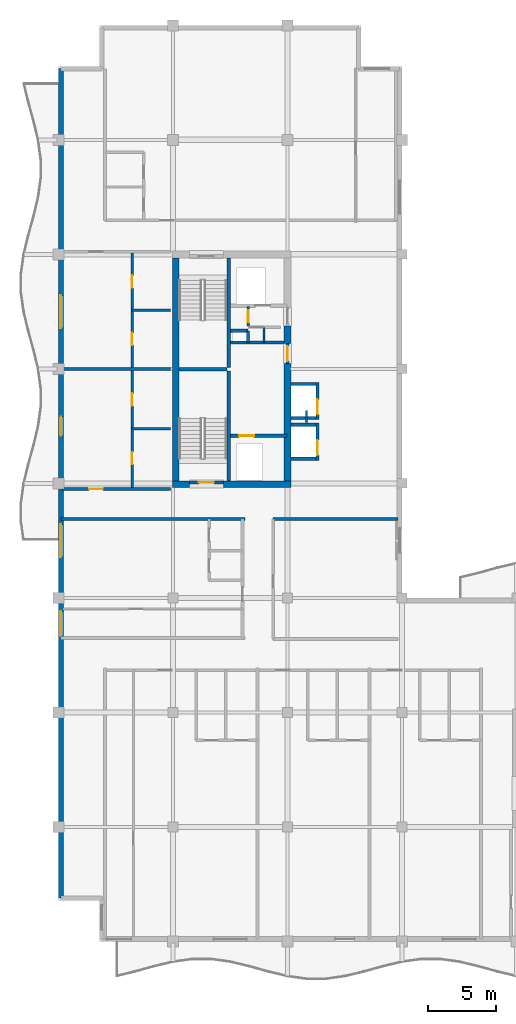
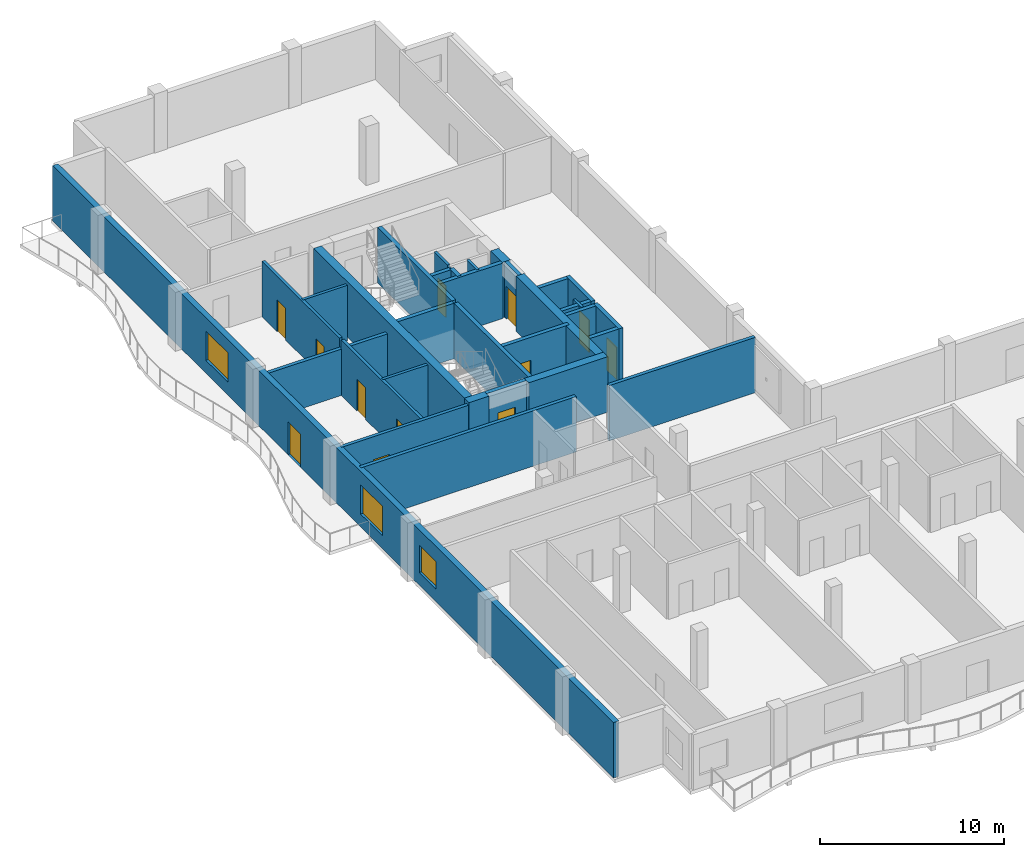
# One storey, part 6 of 11: 32 walls, 12 doors, 3 windows, 15 openings.
"""IFC4 building model written with IfcOpenShell, lengths in metres."""

from ifc_helpers import new_model, si_unit, direction, frame, frame_2d, origin, place, context, subcontext, project, spatial, rectangle, extrude, material, layer, layer_set, type_object, element, fill, save


model = new_model("IFC4")

# Units and contexts
model_context = context("Model", 3, precision=1e-05, world=origin(), true_north=direction((0.0, 1.0)))
body_context = subcontext(model_context, "Body", "Model", "MODEL_VIEW")
ifc_project = project(units=[si_unit("LENGTHUNIT", "METRE"), si_unit("AREAUNIT", "SQUARE_METRE"), si_unit("VOLUMEUNIT", "CUBIC_METRE"), si_unit("PLANEANGLEUNIT", "RADIAN"), si_unit("MASSUNIT", "GRAM", prefix="KILO")], contexts=[model_context])

# Site, building, storey
site_placement = place(None, origin())
site = spatial("IfcSite", under=ifc_project, at=site_placement, CompositionType="ELEMENT")
building_placement = place(site_placement, origin())
building = spatial("IfcBuilding", under=site, at=building_placement, Name="Koriwani Terraces Tower", CompositionType="ELEMENT")
storey_placement = place(building_placement, frame((0.0, 0.0, 312.5)))
storey = spatial("IfcBuildingStorey", under=building, at=storey_placement, Name="L77", CompositionType="ELEMENT", Elevation=312.5)

# Walls
ifc_material_1 = material(Name="Concrete C50/60", Category="concrete")
ifc_layer_1 = layer(ifc_material_1, 0.5, Name="Concrete C50/60")
ifc_layer_set_1 = layer_set([ifc_layer_1], Name="Concrete C50/60")
wall_type_1 = type_object("IfcWallType", Name="WALL_CORE_RC_500", PredefinedType="SHEAR", material=ifc_layer_set_1)
wall_1_placement = place(storey_placement, frame((16.75, 41.949951171875, 0.0), z_axis=(0.0, 0.0, 1.0), x_axis=(1.0, 0.0, 0.0)))
element("IfcWall", 1, at=wall_1_placement, inside=storey, type_object=wall_type_1, Name="L77 West Split Core Shear Wall S1", PredefinedType="SHEAR", context=body_context, shape_type="SweptSolid", body=[
    extrude(rectangle(XDim=1.25, YDim=0.5, at=frame_2d((0.625, 0.0))), origin(), (0.0, 0.0, 1.0), 3.669921875),
])
wall_2_placement = place(storey_placement, frame((20.5, 41.949951171875, 0.0), z_axis=(0.0, 0.0, 1.0), x_axis=(1.0, 0.0, 0.0)))
element("IfcWall", 2, at=wall_2_placement, inside=storey, type_object=wall_type_1, Name="L77 West Split Core Shear Wall S2", PredefinedType="SHEAR", context=body_context, shape_type="SweptSolid", body=[
    extrude(rectangle(XDim=4.949951171875, YDim=0.5, at=frame_2d((2.47509765625, 0.0))), origin(), (0.0, 0.0, 1.0), 3.669921875),
])
wall_3_placement = place(storey_placement, frame((17.0, 42.199951171875, 0.0), z_axis=(0.0, 0.0, 1.0), x_axis=(0.0, 1.0, 0.0)))
element("IfcWall", 3, at=wall_3_placement, inside=storey, type_object=wall_type_1, Name="L77 West Split Core Shear Wall W1", PredefinedType="SHEAR", context=body_context, shape_type="SweptSolid", body=[
    extrude(rectangle(XDim=16.35009765625, YDim=0.5, at=frame_2d((8.175048828125, 0.0))), origin(), (0.0, 0.0, 1.0), 3.669921875),
])
wall_4_placement = place(storey_placement, frame((25.199951171875, 42.199951171875, 0.0), z_axis=(0.0, 0.0, 1.0), x_axis=(0.0, 1.0, 0.0)))
element("IfcWall", 4, at=wall_4_placement, inside=storey, type_object=wall_type_1, Name="L77 West Split Core Shear Wall E1", PredefinedType="SHEAR", context=body_context, shape_type="SweptSolid", body=[
    extrude(rectangle(XDim=8.60009765625, YDim=0.5, at=frame_2d((4.300048828125, 0.0))), origin(), (0.0, 0.0, 1.0), 3.669921875),
])
wall_5_placement = place(storey_placement, frame((25.199951171875, 52.280029296875, 0.0), z_axis=(0.0, 0.0, 1.0), x_axis=(0.0, 1.0, 0.0)))
element("IfcWall", 5, at=wall_5_placement, inside=storey, type_object=wall_type_1, Name="L77 West Split Core Shear Wall E2", PredefinedType="SHEAR", context=body_context, shape_type="SweptSolid", body=[
    extrude(rectangle(XDim=1.27001953125, YDim=0.5, at=frame_2d((0.635009765625, 0.0))), origin(), (0.0, 0.0, 1.0), 3.669921875),
])

# Wall, opening, door
ifc_material_2 = material(Name="Autoclaved Cellular Concrete Blockwork", Category="masonry")
ifc_layer_2 = layer(ifc_material_2, 0.199951171875, Name="Autoclaved Cellular Concrete Blockwork")
ifc_layer_set_2 = layer_set([ifc_layer_2], Name="Autoclaved Cellular Concrete Blockwork")
wall_type_2 = type_object("IfcWallType", Name="WALL_CORRIDOR_200", PredefinedType="PARTITIONING", material=ifc_layer_set_2)
wall_6_placement = place(storey_placement, frame((8.64990234375, 41.60009765625, 0.0), z_axis=(0.0, 0.0, 1.0), x_axis=(1.0, 0.0, 0.0)))
wall_6 = element("IfcWall", 6, at=wall_6_placement, inside=storey, type_object=wall_type_2, Name="L77 Interior Wall WRZ4-WS-L77", PredefinedType="PARTITIONING", context=body_context, shape_type="SweptSolid", body=[
    extrude(rectangle(XDim=7.9501953125, YDim=0.199951171875, at=frame_2d((3.97509765625, 0.0))), origin(), (0.0, 0.0, 1.0), 3.669921875),
])
opening_1_placement = place(wall_6_placement, frame((2.0, 0.0, 0.0)))
opening_1 = element("IfcOpeningElement", 7, at=opening_1_placement, cuts=wall_6, Name="Opening D-05", PredefinedType="OPENING", context=body_context, shape_type="SweptSolid", body=[
    extrude(rectangle(XDim=1.0, YDim=2.14990234375, at=frame_2d((0.5, 1.074951171875))), frame((0.0, 0.10986328125, 0.0), z_axis=(0.0, -1.0, 0.0), x_axis=(1.0, 0.0, 0.0)), (0.0, 0.0, 1.0), 0.219970703125),
])
ifc_material_3 = material(Name="Architectural Oak Fire Door", Category="wood")
door_type_1 = type_object("IfcDoorType", Name="DOOR_SUITE_ENTRY_1000X2150", OperationType="NOTDEFINED", PredefinedType="DOOR", material=ifc_material_3)
door_1_placement = place(opening_1_placement, origin())
door_1 = element("IfcDoor", 8, at=door_1_placement, inside=storey, type_object=door_type_1, Name="Apartment 77RW1 Entrance Door", OperationType="SINGLE_SWING_RIGHT", OverallHeight=2.14990234375, OverallWidth=1.0, PredefinedType="DOOR", context=body_context, shape_type="SweptSolid", body=[
    extrude(rectangle(XDim=1.0, YDim=2.14990234375, at=frame_2d((0.5, 1.074951171875))), frame((0.0, 0.02490234375, 0.0), z_axis=(0.0, -1.0, 0.0), x_axis=(1.0, 0.0, 0.0)), (0.0, 0.0, 1.0), 0.050048828125),
])
fill(opening_1, door_1)

# Walls
ifc_layer_3 = layer(ifc_material_2, 0.219970703125, Name="Autoclaved Cellular Concrete Blockwork")
ifc_layer_set_3 = layer_set([ifc_layer_3], Name="Autoclaved Cellular Concrete Blockwork")
wall_type_3 = type_object("IfcWallType", Name="WALL_DEMISING_220", PredefinedType="PARTITIONING", material=ifc_layer_set_3)
wall_7_placement = place(storey_placement, frame((24.14990234375, 39.39990234375, 0.0), z_axis=(0.0, 0.0, 1.0), x_axis=(1.0, 0.0, 0.0)))
element("IfcWall", 9, at=wall_7_placement, inside=storey, type_object=wall_type_3, Name="L77 Interior Wall WIC4WN-L77", PredefinedType="PARTITIONING", context=body_context, shape_type="SweptSolid", body=[
    extrude(rectangle(XDim=9.150146484375, YDim=0.219970703125, at=frame_2d((4.5751953125, 0.0))), origin(), (0.0, 0.0, 1.0), 3.669921875),
])
wall_8_placement = place(storey_placement, frame((8.64990234375, 50.39990234375, 0.0), z_axis=(0.0, 0.0, 1.0), x_axis=(1.0, 0.0, 0.0)))
element("IfcWall", 10, at=wall_8_placement, inside=storey, type_object=wall_type_3, Name="L77 Interior Wall WRZ4-WM-L77", PredefinedType="PARTITIONING", context=body_context, shape_type="SweptSolid", body=[
    extrude(rectangle(XDim=7.9501953125, YDim=0.219970703125, at=frame_2d((3.97509765625, 0.0))), origin(), (0.0, 0.0, 1.0), 3.070068359375),
])
wall_9_placement = place(storey_placement, frame((8.60009765625, 39.39990234375, 0.0), z_axis=(0.0, 0.0, 1.0), x_axis=(1.0, 0.0, 0.0)))
element("IfcWall", 11, at=wall_9_placement, inside=storey, type_object=wall_type_3, Name="L77 Interior Wall WRDEME-L77-NE", PredefinedType="PARTITIONING", context=body_context, shape_type="SweptSolid", body=[
    extrude(rectangle(XDim=13.47998046875, YDim=0.219970703125, at=frame_2d((6.739990234375, 0.0))), origin(), (0.0, 0.0, 1.0), 3.669921875),
])

# Wall, openings, door, windows
ifc_layer_4 = layer(ifc_material_1, 0.35009765625, Name="Concrete C50/60")
ifc_layer_set_4 = layer_set([ifc_layer_4], Name="Concrete C50/60")
wall_type_4 = type_object("IfcWallType", Name="WALL_EXT_BRUTALIST_350", PredefinedType="STANDARD", material=ifc_layer_set_4)
wall_10_placement = place(storey_placement, frame((8.574951171875, 11.574951171875, 0.0), z_axis=(0.0, 0.0, 1.0), x_axis=(0.0, 1.0, 0.0)))
wall_10 = element("IfcWall", 12, at=wall_10_placement, inside=storey, type_object=wall_type_4, Name="L77 Fair-Faced Brutalist Exterior Wall (W)", PredefinedType="STANDARD", context=body_context, shape_type="SweptSolid", body=[
    extrude(rectangle(XDim=60.85009765625, YDim=0.35009765625, at=frame_2d((30.425048828125, 0.0))), origin(), (0.0, 0.0, 1.0), 3.669921875),
])
opening_2_placement = place(wall_10_placement, frame((33.925048828125, 0.0, 0.0)))
opening_2 = element("IfcOpeningElement", 13, at=opening_2_placement, cuts=wall_10, Name="Opening D-09", PredefinedType="OPENING", context=body_context, shape_type="SweptSolid", body=[
    extrude(rectangle(XDim=1.39990234375, YDim=2.199951171875, at=frame_2d((0.699951171875, 1.10009765625))), frame((0.0, 0.18505859375, 0.0), z_axis=(0.0, -1.0, 0.0), x_axis=(1.0, 0.0, 0.0)), (0.0, 0.0, 1.0), 0.3701171875),
])
opening_3_placement = place(wall_10_placement, frame((25.02490234375, 0.0, 0.85009765625)))
opening_3 = element("IfcOpeningElement", 14, at=opening_3_placement, cuts=wall_10, Name="Opening W-03", PredefinedType="OPENING", context=body_context, shape_type="SweptSolid", body=[
    extrude(rectangle(XDim=2.39990234375, YDim=1.949951171875, at=frame_2d((1.199951171875, 0.97509765625))), frame((0.0, 0.18505859375, 0.0), z_axis=(0.0, -1.0, 0.0), x_axis=(1.0, 0.0, 0.0)), (0.0, 0.0, 1.0), 0.3701171875),
])
opening_4_placement = place(wall_10_placement, frame((41.824951171875, 0.0, 0.85009765625)))
opening_4 = element("IfcOpeningElement", 15, at=opening_4_placement, cuts=wall_10, Name="Opening W-03", PredefinedType="OPENING", context=body_context, shape_type="SweptSolid", body=[
    extrude(rectangle(XDim=2.39990234375, YDim=1.949951171875, at=frame_2d((1.199951171875, 0.97509765625))), frame((0.0, 0.18505859375, 0.0), z_axis=(0.0, -1.0, 0.0), x_axis=(1.0, 0.0, 0.0)), (0.0, 0.0, 1.0), 0.3701171875),
])
opening_5_placement = place(wall_10_placement, frame((19.25, 0.0, 0.85009765625)))
opening_5 = element("IfcOpeningElement", 16, at=opening_5_placement, cuts=wall_10, Name="Opening W-04", PredefinedType="OPENING", context=body_context, shape_type="SweptSolid", body=[
    extrude(rectangle(XDim=1.800048828125, YDim=1.800048828125, at=frame_2d((0.89990234375, 0.89990234375))), frame((0.0, 0.18505859375, 0.0), z_axis=(0.0, -1.0, 0.0), x_axis=(1.0, 0.0, 0.0)), (0.0, 0.0, 1.0), 0.3701171875),
])
ifc_material_4 = material(Name="Anodised Bronze Aluminium", Category="aluminium")
door_type_2 = type_object("IfcDoorType", Name="DOOR_BALCONY_GLAZED_1400X2200", OperationType="NOTDEFINED", PredefinedType="DOOR", material=ifc_material_4)
door_2_placement = place(opening_2_placement, origin())
door_2 = element("IfcDoor", 17, at=door_2_placement, inside=storey, type_object=door_type_2, Name="L77 West Balcony Glazed Door", OperationType="SINGLE_SWING_LEFT", OverallHeight=2.199951171875, OverallWidth=1.39990234375, PredefinedType="DOOR", context=body_context, shape_type="SweptSolid", body=[
    extrude(rectangle(XDim=1.39990234375, YDim=2.199951171875, at=frame_2d((0.699951171875, 1.10009765625))), frame((0.0, 0.02490234375, 0.0), z_axis=(0.0, -1.0, 0.0), x_axis=(1.0, 0.0, 0.0)), (0.0, 0.0, 1.0), 0.050048828125),
])
fill(opening_2, door_2)
ifc_material_5 = material(Name="Tempered Laminated Low-E Glass", Category="glass")
window_type_1 = type_object("IfcWindowType", Name="WIN_RES_BED_1800X1800", PartitioningType="DOUBLE_PANEL_VERTICAL", PredefinedType="WINDOW", material=ifc_material_5)
window_1_placement = place(opening_5_placement, origin())
window_1 = element("IfcWindow", 18, at=window_1_placement, inside=storey, type_object=window_type_1, Name="L77 Exterior Window (W-R43)", OverallHeight=1.800048828125, OverallWidth=1.800048828125, PartitioningType="SINGLE_PANEL", PredefinedType="WINDOW", context=body_context, shape_type="SweptSolid", body=[
    extrude(rectangle(XDim=1.800048828125, YDim=1.800048828125, at=frame_2d((0.89990234375, 0.89990234375))), frame((0.0, 0.030029296875, 0.0), z_axis=(0.0, -1.0, 0.0), x_axis=(1.0, 0.0, 0.0)), (0.0, 0.0, 1.0), 0.06005859375),
])
fill(opening_5, window_1)
window_type_2 = type_object("IfcWindowType", Name="WIN_RES_LIVING_2400X1950", PartitioningType="DOUBLE_PANEL_VERTICAL", PredefinedType="WINDOW", material=ifc_material_5)
window_2_placement = place(opening_3_placement, origin())
window_2 = element("IfcWindow", 19, at=window_2_placement, inside=storey, type_object=window_type_2, Name="L77 Exterior Window (W-9)", OverallHeight=1.949951171875, OverallWidth=2.39990234375, PartitioningType="SINGLE_PANEL", PredefinedType="WINDOW", context=body_context, shape_type="SweptSolid", body=[
    extrude(rectangle(XDim=2.39990234375, YDim=1.949951171875, at=frame_2d((1.199951171875, 0.97509765625))), frame((0.0, 0.030029296875, 0.0), z_axis=(0.0, -1.0, 0.0), x_axis=(1.0, 0.0, 0.0)), (0.0, 0.0, 1.0), 0.06005859375),
])
fill(opening_3, window_2)
window_3_placement = place(opening_4_placement, origin())
window_3 = element("IfcWindow", 20, at=window_3_placement, inside=storey, type_object=window_type_2, Name="L77 Exterior Window (W-15)", OverallHeight=1.949951171875, OverallWidth=2.39990234375, PartitioningType="SINGLE_PANEL", PredefinedType="WINDOW", context=body_context, shape_type="SweptSolid", body=[
    extrude(rectangle(XDim=2.39990234375, YDim=1.949951171875, at=frame_2d((1.199951171875, 0.97509765625))), frame((0.0, 0.030029296875, 0.0), z_axis=(0.0, -1.0, 0.0), x_axis=(1.0, 0.0, 0.0)), (0.0, 0.0, 1.0), 0.06005859375),
])
fill(opening_4, window_3)

# Wall, openings, doors
ifc_material_6 = material(Name="Fire-Rated Acoustic Gypsum Partition", Category="masonry")
ifc_layer_5 = layer(ifc_material_6, 0.179931640625, Name="Fire-Rated Acoustic Gypsum Partition")
ifc_layer_set_5 = layer_set([ifc_layer_5], Name="Fire-Rated Acoustic Gypsum Partition")
wall_type_5 = type_object("IfcWallType", Name="WALL_PLUMBING_180", PredefinedType="PLUMBINGWALL", material=ifc_layer_set_5)
wall_11_placement = place(storey_placement, frame((13.800048828125, 41.699951171875, 0.0), z_axis=(0.0, 0.0, 1.0), x_axis=(0.0, 1.0, 0.0)))
wall_11 = element("IfcWall", 21, at=wall_11_placement, inside=storey, type_object=wall_type_5, Name="L77 Interior Wall WRZ4-RW1-PB-L77", PredefinedType="PLUMBINGWALL", context=body_context, shape_type="SweptSolid", body=[
    extrude(rectangle(XDim=8.60009765625, YDim=0.179931640625, at=frame_2d((4.300048828125, 0.0))), origin(), (0.0, 0.0, 1.0), 3.669921875),
])
opening_6_placement = place(wall_11_placement, frame((1.699951171875, 0.0, 0.0)))
opening_6 = element("IfcOpeningElement", 22, at=opening_6_placement, cuts=wall_11, Name="Opening D-07", PredefinedType="OPENING", context=body_context, shape_type="SweptSolid", body=[
    extrude(rectangle(XDim=0.89990234375, YDim=2.10009765625, at=frame_2d((0.449951171875, 1.050048828125))), frame((0.0, 0.10009765625, 0.0), z_axis=(0.0, -1.0, 0.0), x_axis=(1.0, 0.0, 0.0)), (0.0, 0.0, 1.0), 0.199951171875),
])
opening_7_placement = place(wall_11_placement, frame((5.989990234375, 0.0, 0.0)))
opening_7 = element("IfcOpeningElement", 23, at=opening_7_placement, cuts=wall_11, Name="Opening D-06", PredefinedType="OPENING", context=body_context, shape_type="SweptSolid", body=[
    extrude(rectangle(XDim=0.919921875, YDim=2.10009765625, at=frame_2d((0.4599609375, 1.050048828125))), frame((0.0, 0.10009765625, 0.0), z_axis=(0.0, -1.0, 0.0), x_axis=(1.0, 0.0, 0.0)), (0.0, 0.0, 1.0), 0.199951171875),
])
door_type_3 = type_object("IfcDoorType", Name="DOOR_BATH_INT_900X2100", OperationType="NOTDEFINED", PredefinedType="DOOR", material=ifc_material_3)
door_3_placement = place(opening_6_placement, origin())
door_3 = element("IfcDoor", 24, at=door_3_placement, inside=storey, type_object=door_type_3, Name="Apartment 77RW1 Bathroom Door", OperationType="SINGLE_SWING_RIGHT", OverallHeight=2.10009765625, OverallWidth=0.89990234375, PredefinedType="DOOR", context=body_context, shape_type="SweptSolid", body=[
    extrude(rectangle(XDim=0.89990234375, YDim=2.10009765625, at=frame_2d((0.449951171875, 1.050048828125))), frame((0.0, 0.02490234375, 0.0), z_axis=(0.0, -1.0, 0.0), x_axis=(1.0, 0.0, 0.0)), (0.0, 0.0, 1.0), 0.050048828125),
])
fill(opening_6, door_3)
door_type_4 = type_object("IfcDoorType", Name="DOOR_ROOM_INT_920X2100", OperationType="NOTDEFINED", PredefinedType="DOOR", material=ifc_material_3)
door_4_placement = place(opening_7_placement, origin())
door_4 = element("IfcDoor", 25, at=door_4_placement, inside=storey, type_object=door_type_4, Name="Apartment 77RW1 Kitchen Door", OperationType="SINGLE_SWING_LEFT", OverallHeight=2.10009765625, OverallWidth=0.919921875, PredefinedType="DOOR", context=body_context, shape_type="SweptSolid", body=[
    extrude(rectangle(XDim=0.919921875, YDim=2.10009765625, at=frame_2d((0.4599609375, 1.050048828125))), frame((0.0, 0.02490234375, 0.0), z_axis=(0.0, -1.0, 0.0), x_axis=(1.0, 0.0, 0.0)), (0.0, 0.0, 1.0), 0.050048828125),
])
fill(opening_7, door_4)

# Wall
wall_12_placement = place(storey_placement, frame((13.800048828125, 46.0, 0.0), z_axis=(0.0, 0.0, 1.0), x_axis=(1.0, 0.0, 0.0)))
element("IfcWall", 26, at=wall_12_placement, inside=storey, type_object=wall_type_5, Name="L77 Interior Wall WRZ4-RW1-P2-L77", PredefinedType="PLUMBINGWALL", context=body_context, shape_type="SweptSolid", body=[
    extrude(rectangle(XDim=2.800048828125, YDim=0.179931640625, at=frame_2d((1.39990234375, 0.0))), origin(), (0.0, 0.0, 1.0), 3.669921875),
])

# Wall, openings, doors
wall_13_placement = place(storey_placement, frame((13.800048828125, 50.5, 0.0), z_axis=(0.0, 0.0, 1.0), x_axis=(0.0, 1.0, 0.0)))
wall_13 = element("IfcWall", 27, at=wall_13_placement, inside=storey, type_object=wall_type_5, Name="L77 Interior Wall WRZ4-RW2-PB-L77", PredefinedType="PLUMBINGWALL", context=body_context, shape_type="SweptSolid", body=[
    extrude(rectangle(XDim=8.39990234375, YDim=0.179931640625, at=frame_2d((4.199951171875, 0.0))), origin(), (0.0, 0.0, 1.0), 3.669921875),
])
opening_8_placement = place(wall_13_placement, frame((1.64990234375, 0.0, 0.0)))
opening_8 = element("IfcOpeningElement", 28, at=opening_8_placement, cuts=wall_13, Name="Opening D-07", PredefinedType="OPENING", context=body_context, shape_type="SweptSolid", body=[
    extrude(rectangle(XDim=0.89990234375, YDim=2.10009765625, at=frame_2d((0.449951171875, 1.050048828125))), frame((0.0, 0.10009765625, 0.0), z_axis=(0.0, -1.0, 0.0), x_axis=(1.0, 0.0, 0.0)), (0.0, 0.0, 1.0), 0.199951171875),
])
opening_9_placement = place(wall_13_placement, frame((5.840087890625, 0.0, 0.0)))
opening_9 = element("IfcOpeningElement", 29, at=opening_9_placement, cuts=wall_13, Name="Opening D-06", PredefinedType="OPENING", context=body_context, shape_type="SweptSolid", body=[
    extrude(rectangle(XDim=0.919921875, YDim=2.10009765625, at=frame_2d((0.4599609375, 1.050048828125))), frame((0.0, 0.10009765625, 0.0), z_axis=(0.0, -1.0, 0.0), x_axis=(1.0, 0.0, 0.0)), (0.0, 0.0, 1.0), 0.199951171875),
])
door_5_placement = place(opening_8_placement, origin())
door_5 = element("IfcDoor", 30, at=door_5_placement, inside=storey, type_object=door_type_3, Name="Apartment 77RW2 Bathroom Door", OperationType="SINGLE_SWING_RIGHT", OverallHeight=2.10009765625, OverallWidth=0.89990234375, PredefinedType="DOOR", context=body_context, shape_type="SweptSolid", body=[
    extrude(rectangle(XDim=0.89990234375, YDim=2.10009765625, at=frame_2d((0.449951171875, 1.050048828125))), frame((0.0, 0.02490234375, 0.0), z_axis=(0.0, -1.0, 0.0), x_axis=(1.0, 0.0, 0.0)), (0.0, 0.0, 1.0), 0.050048828125),
])
fill(opening_8, door_5)
door_6_placement = place(opening_9_placement, origin())
door_6 = element("IfcDoor", 31, at=door_6_placement, inside=storey, type_object=door_type_4, Name="Apartment 77RW2 Kitchen Door", OperationType="SINGLE_SWING_LEFT", OverallHeight=2.10009765625, OverallWidth=0.919921875, PredefinedType="DOOR", context=body_context, shape_type="SweptSolid", body=[
    extrude(rectangle(XDim=0.919921875, YDim=2.10009765625, at=frame_2d((0.4599609375, 1.050048828125))), frame((0.0, 0.02490234375, 0.0), z_axis=(0.0, -1.0, 0.0), x_axis=(1.0, 0.0, 0.0)), (0.0, 0.0, 1.0), 0.050048828125),
])
fill(opening_9, door_6)

# Walls
wall_14_placement = place(storey_placement, frame((13.800048828125, 54.699951171875, 0.0), z_axis=(0.0, 0.0, 1.0), x_axis=(1.0, 0.0, 0.0)))
element("IfcWall", 32, at=wall_14_placement, inside=storey, type_object=wall_type_5, Name="L77 Interior Wall WRZ4-RW2-P2-L77", PredefinedType="PLUMBINGWALL", context=body_context, shape_type="SweptSolid", body=[
    extrude(rectangle(XDim=2.800048828125, YDim=0.179931640625, at=frame_2d((1.39990234375, 0.0))), origin(), (0.0, 0.0, 1.0), 3.669921875),
])
ifc_material_7 = material(Name="Concrete C40/50", Category="concrete")
ifc_layer_6 = layer(ifc_material_7, 0.25, Name="Concrete C40/50")
ifc_layer_set_6 = layer_set([ifc_layer_6], Name="Concrete C40/50")
wall_type_6 = type_object("IfcWallType", Name="WALL_SHAFT_RATED_250", PredefinedType="SOLIDWALL", material=ifc_layer_set_6)
for number, where, z_axis, x_axis, name in (
    (33, (20.875, 42.199951171875, 0.0), (0.0, 0.0, 1.0), (0.0, 1.0, 0.0), "L77 West Split Core Web Wall MID1"),
    (34, (20.875, 50.5, 0.0), (0.0, 0.0, 1.0), (0.0, 1.0, 0.0), "L77 West Split Core Web Wall MID2"),
):
    element("IfcWall", number, at=place(storey_placement, frame(where, z_axis=z_axis, x_axis=x_axis)), inside=storey, type_object=wall_type_6, Name=name, PredefinedType="SOLIDWALL", context=body_context, shape_type="SweptSolid", body=[
        extrude(rectangle(XDim=8.050048828125, YDim=0.25, at=frame_2d((4.02490234375, 0.0))), origin(), (0.0, 0.0, 1.0), 3.669921875),
    ])
wall_15_placement = place(storey_placement, frame((17.25, 50.375, 0.0), z_axis=(0.0, 0.0, 1.0), x_axis=(1.0, 0.0, 0.0)))
element("IfcWall", 35, at=wall_15_placement, inside=storey, type_object=wall_type_6, Name="L77 West Split Core Stair Dividing Wall", PredefinedType="SOLIDWALL", context=body_context, shape_type="SweptSolid", body=[
    extrude(rectangle(XDim=3.5, YDim=0.25, at=frame_2d((1.75, 0.0))), origin(), (0.0, 0.0, 1.0), 3.669921875),
])

# Wall, opening, door
wall_16_placement = place(storey_placement, frame((18.0, 42.074951171875, 0.0), z_axis=(0.0, 0.0, 1.0), x_axis=(1.0, 0.0, 0.0)))
wall_16 = element("IfcWall", 36, at=wall_16_placement, inside=storey, type_object=wall_type_6, Name="L77 Interior Wall WIN-CW-L77-STS", PredefinedType="SOLIDWALL", context=body_context, shape_type="SweptSolid", body=[
    extrude(rectangle(XDim=2.5, YDim=0.25, at=frame_2d((1.25, 0.0))), origin(), (0.0, 0.0, 1.0), 3.669921875),
])
opening_10_placement = place(wall_16_placement, frame((0.699951171875, 0.0, 0.0)))
opening_10 = element("IfcOpeningElement", 37, at=opening_10_placement, cuts=wall_16, Name="Opening D-03", PredefinedType="OPENING", context=body_context, shape_type="SweptSolid", body=[
    extrude(rectangle(XDim=1.10009765625, YDim=2.14990234375, at=frame_2d((0.550048828125, 1.074951171875))), frame((0.0, 0.135009765625, 0.0), z_axis=(0.0, -1.0, 0.0), x_axis=(1.0, 0.0, 0.0)), (0.0, 0.0, 1.0), 0.27001953125),
])
ifc_material_8 = material(Name="Steel ASTM A572 Grade 50", Category="steel")
door_type_5 = type_object("IfcDoorType", Name="DOOR_STAIR_FIRE_1100X2150", OperationType="NOTDEFINED", PredefinedType="DOOR", material=ifc_material_8)
door_7_placement = place(opening_10_placement, origin())
door_7 = element("IfcDoor", 38, at=door_7_placement, inside=storey, type_object=door_type_5, Name="L77 Exit Stair ST-W1 Door", OperationType="SINGLE_SWING_LEFT", OverallHeight=2.14990234375, OverallWidth=1.10009765625, PredefinedType="DOOR", context=body_context, shape_type="SweptSolid", body=[
    extrude(rectangle(XDim=1.10009765625, YDim=2.14990234375, at=frame_2d((0.550048828125, 1.074951171875))), frame((0.0, 0.02490234375, 0.0), z_axis=(0.0, -1.0, 0.0), x_axis=(1.0, 0.0, 0.0)), (0.0, 0.0, 1.0), 0.050048828125),
])
fill(opening_10, door_7)

wall_17_placement = place(storey_placement, frame((21.0, 45.5, 0.0), z_axis=(0.0, 0.0, 1.0), x_axis=(1.0, 0.0, 0.0)))
wall_17 = element("IfcWall", 39, at=wall_17_placement, inside=storey, type_object=wall_type_6, Name="L77 Interior Wall WIN-CW-L77-FE", PredefinedType="SOLIDWALL", context=body_context, shape_type="SweptSolid", body=[
    extrude(rectangle(XDim=4.14990234375, YDim=0.25, at=frame_2d((2.074951171875, 0.0))), origin(), (0.0, 0.0, 1.0), 3.669921875),
])
opening_11_placement = place(wall_17_placement, frame((0.64990234375, 0.0, 0.0)))
opening_11 = element("IfcOpeningElement", 40, at=opening_11_placement, cuts=wall_17, Name="Opening LD-01", PredefinedType="OPENING", context=body_context, shape_type="SweptSolid", body=[
    extrude(rectangle(XDim=1.10009765625, YDim=2.14990234375, at=frame_2d((0.550048828125, 1.074951171875))), frame((0.0, 0.135009765625, 0.0), z_axis=(0.0, -1.0, 0.0), x_axis=(1.0, 0.0, 0.0)), (0.0, 0.0, 1.0), 0.27001953125),
])
door_type_6 = type_object("IfcDoorType", Name="DOOR_LIFT_LANDING_1100X2200", OperationType="NOTDEFINED", PredefinedType="DOOR", material=ifc_material_8)
door_8_placement = place(opening_11_placement, origin())
door_8 = element("IfcDoor", 41, at=door_8_placement, inside=storey, type_object=door_type_6, Name="L77 Firefighting Lift FE-01 Landing Door", OperationType="SLIDING_TO_LEFT", OverallHeight=2.14990234375, OverallWidth=1.10009765625, PredefinedType="DOOR", context=body_context, shape_type="SweptSolid", body=[
    extrude(rectangle(XDim=1.10009765625, YDim=2.14990234375, at=frame_2d((0.550048828125, 1.074951171875))), frame((0.0, 0.02490234375, 0.0), z_axis=(0.0, -1.0, 0.0), x_axis=(1.0, 0.0, 0.0)), (0.0, 0.0, 1.0), 0.050048828125),
])
fill(opening_11, door_8)

wall_18_placement = place(storey_placement, frame((25.199951171875, 50.800048828125, 0.0), z_axis=(0.0, 0.0, 1.0), x_axis=(0.0, 1.0, 0.0)))
wall_18 = element("IfcWall", 42, at=wall_18_placement, inside=storey, type_object=wall_type_6, Name="L77 Interior Wall WIN-CW-L77-EP", PredefinedType="SOLIDWALL", context=body_context, shape_type="SweptSolid", body=[
    extrude(rectangle(XDim=1.47998046875, YDim=0.25, at=frame_2d((0.739990234375, 0.0))), origin(), (0.0, 0.0, 1.0), 3.669921875),
])
opening_12_placement = place(wall_18_placement, frame((0.179931640625, 0.0, 0.0)))
opening_12 = element("IfcOpeningElement", 43, at=opening_12_placement, cuts=wall_18, Name="Opening D-03", PredefinedType="OPENING", context=body_context, shape_type="SweptSolid", body=[
    extrude(rectangle(XDim=1.10009765625, YDim=2.14990234375, at=frame_2d((0.550048828125, 1.074951171875))), frame((0.0, 0.135009765625, 0.0), z_axis=(0.0, -1.0, 0.0), x_axis=(1.0, 0.0, 0.0)), (0.0, 0.0, 1.0), 0.27001953125),
])
door_9_placement = place(opening_12_placement, origin())
door_9 = element("IfcDoor", 44, at=door_9_placement, inside=storey, type_object=door_type_5, Name="L77 West Firefighting Lobby Door", OperationType="SINGLE_SWING_LEFT", OverallHeight=2.14990234375, OverallWidth=1.10009765625, PredefinedType="DOOR", context=body_context, shape_type="SweptSolid", body=[
    extrude(rectangle(XDim=1.10009765625, YDim=2.14990234375, at=frame_2d((0.550048828125, 1.074951171875))), frame((0.0, 0.02490234375, 0.0), z_axis=(0.0, -1.0, 0.0), x_axis=(1.0, 0.0, 0.0)), (0.0, 0.0, 1.0), 0.050048828125),
])
fill(opening_12, door_9)

# Walls
wall_19_placement = place(storey_placement, frame((21.0, 52.340087890625, 0.0), z_axis=(0.0, 0.0, 1.0), x_axis=(1.0, 0.0, 0.0)))
element("IfcWall", 45, at=wall_19_placement, inside=storey, type_object=wall_type_6, Name="L77 Interior Wall WIN-CW-L77-FFN", PredefinedType="SOLIDWALL", context=body_context, shape_type="SweptSolid", body=[
    extrude(rectangle(XDim=3.949951171875, YDim=0.25, at=frame_2d((1.97509765625, 0.0))), origin(), (0.0, 0.0, 1.0), 3.669921875),
])
wall_20_placement = place(storey_placement, frame((21.0, 53.199951171875, 0.0), z_axis=(0.0, 0.0, 1.0), x_axis=(1.0, 0.0, 0.0)))
element("IfcWall", 46, at=wall_20_placement, inside=storey, type_object=wall_type_6, Name="L77 Interior Wall WIN-CW-L77-RS1", PredefinedType="SOLIDWALL", context=body_context, shape_type="SweptSolid", body=[
    extrude(rectangle(XDim=1.300048828125, YDim=0.25, at=frame_2d((0.64990234375, 0.0))), origin(), (0.0, 0.0, 1.0), 3.669921875),
])
wall_21_placement = place(storey_placement, frame((22.300048828125, 52.360107421875, 0.0), z_axis=(0.0, 0.0, 1.0), x_axis=(0.0, 1.0, 0.0)))
element("IfcWall", 47, at=wall_21_placement, inside=storey, type_object=wall_type_6, Name="L77 Interior Wall WIN-CW-L77-RS2", PredefinedType="SOLIDWALL", context=body_context, shape_type="SweptSolid", body=[
    extrude(rectangle(XDim=0.83984375, YDim=0.25, at=frame_2d((0.419921875, 0.0))), origin(), (0.0, 0.0, 1.0), 3.669921875),
])

# Wall, opening, door
wall_22_placement = place(storey_placement, frame((27.39990234375, 43.675048828125, 0.0), z_axis=(0.0, 0.0, 1.0), x_axis=(0.0, 1.0, 0.0)))
wall_22 = element("IfcWall", 48, at=wall_22_placement, inside=storey, type_object=wall_type_6, Name="L77 Interior Wall WIN-LF-PE-H1-L77-F", PredefinedType="SOLIDWALL", context=body_context, shape_type="SweptSolid", body=[
    extrude(rectangle(XDim=2.75, YDim=0.25, at=frame_2d((1.375, 0.0))), origin(), (0.0, 0.0, 1.0), 3.669921875),
])
opening_13_placement = place(wall_22_placement, frame((0.39990234375, 0.0, 0.0)))
opening_13 = element("IfcOpeningElement", 49, at=opening_13_placement, cuts=wall_22, Name="Opening LD-01", PredefinedType="OPENING", context=body_context, shape_type="SweptSolid", body=[
    extrude(rectangle(XDim=1.10009765625, YDim=2.14990234375, at=frame_2d((0.550048828125, 1.074951171875))), frame((0.0, 0.135009765625, 0.0), z_axis=(0.0, -1.0, 0.0), x_axis=(1.0, 0.0, 0.0)), (0.0, 0.0, 1.0), 0.27001953125),
])
door_10_placement = place(opening_13_placement, origin())
door_10 = element("IfcDoor", 50, at=door_10_placement, inside=storey, type_object=door_type_6, Name="L77 Passenger Lift PE-H1 Landing Door", OperationType="SLIDING_TO_LEFT", OverallHeight=2.14990234375, OverallWidth=1.10009765625, PredefinedType="DOOR", context=body_context, shape_type="SweptSolid", body=[
    extrude(rectangle(XDim=1.10009765625, YDim=2.14990234375, at=frame_2d((0.550048828125, 1.074951171875))), frame((0.0, 0.02490234375, 0.0), z_axis=(0.0, -1.0, 0.0), x_axis=(1.0, 0.0, 0.0)), (0.0, 0.0, 1.0), 0.050048828125),
])
fill(opening_13, door_10)

# Walls
for number, where, z_axis, x_axis, name in (
    (51, (25.449951171875, 43.800048828125, 0.0), (0.0, 0.0, 1.0), (1.0, 0.0, 0.0), "L77 Interior Wall WIN-LF-PE-H1-L77-S"),
    (52, (25.449951171875, 46.300048828125, 0.0), (0.0, 0.0, 1.0), (1.0, 0.0, 0.0), "L77 Interior Wall WIN-LF-PE-H1-L77-N"),
):
    element("IfcWall", number, at=place(storey_placement, frame(where, z_axis=z_axis, x_axis=x_axis)), inside=storey, type_object=wall_type_6, Name=name, PredefinedType="SOLIDWALL", context=body_context, shape_type="SweptSolid", body=[
        extrude(rectangle(XDim=1.824951171875, YDim=0.25, at=frame_2d((0.91259765625, 0.0))), origin(), (0.0, 0.0, 1.0), 3.669921875),
    ])

# Wall, opening, door
wall_23_placement = place(storey_placement, frame((27.39990234375, 46.675048828125, 0.0), z_axis=(0.0, 0.0, 1.0), x_axis=(0.0, 1.0, 0.0)))
wall_23 = element("IfcWall", 53, at=wall_23_placement, inside=storey, type_object=wall_type_6, Name="L77 Interior Wall WIN-LF-PE-H2-L77-F", PredefinedType="SOLIDWALL", context=body_context, shape_type="SweptSolid", body=[
    extrude(rectangle(XDim=2.75, YDim=0.25, at=frame_2d((1.375, 0.0))), origin(), (0.0, 0.0, 1.0), 3.669921875),
])
opening_14_placement = place(wall_23_placement, frame((0.39990234375, 0.0, 0.0)))
opening_14 = element("IfcOpeningElement", 54, at=opening_14_placement, cuts=wall_23, Name="Opening LD-01", PredefinedType="OPENING", context=body_context, shape_type="SweptSolid", body=[
    extrude(rectangle(XDim=1.10009765625, YDim=2.14990234375, at=frame_2d((0.550048828125, 1.074951171875))), frame((0.0, 0.135009765625, 0.0), z_axis=(0.0, -1.0, 0.0), x_axis=(1.0, 0.0, 0.0)), (0.0, 0.0, 1.0), 0.27001953125),
])
door_11_placement = place(opening_14_placement, origin())
door_11 = element("IfcDoor", 55, at=door_11_placement, inside=storey, type_object=door_type_6, Name="L77 Passenger Lift PE-H2 Landing Door", OperationType="SLIDING_TO_LEFT", OverallHeight=2.14990234375, OverallWidth=1.10009765625, PredefinedType="DOOR", context=body_context, shape_type="SweptSolid", body=[
    extrude(rectangle(XDim=1.10009765625, YDim=2.14990234375, at=frame_2d((0.550048828125, 1.074951171875))), frame((0.0, 0.02490234375, 0.0), z_axis=(0.0, -1.0, 0.0), x_axis=(1.0, 0.0, 0.0)), (0.0, 0.0, 1.0), 0.050048828125),
])
fill(opening_14, door_11)

# Walls
for number, where, z_axis, x_axis, name in (
    (56, (25.449951171875, 46.800048828125, 0.0), (0.0, 0.0, 1.0), (1.0, 0.0, 0.0), "L77 Interior Wall WIN-LF-PE-H2-L77-S"),
    (57, (25.449951171875, 49.300048828125, 0.0), (0.0, 0.0, 1.0), (1.0, 0.0, 0.0), "L77 Interior Wall WIN-LF-PE-H2-L77-N"),
):
    element("IfcWall", number, at=place(storey_placement, frame(where, z_axis=z_axis, x_axis=x_axis)), inside=storey, type_object=wall_type_6, Name=name, PredefinedType="SOLIDWALL", context=body_context, shape_type="SweptSolid", body=[
        extrude(rectangle(XDim=1.824951171875, YDim=0.25, at=frame_2d((0.91259765625, 0.0))), origin(), (0.0, 0.0, 1.0), 3.669921875),
    ])

# Wall, opening, door
ifc_layer_7 = layer(ifc_material_6, 0.159912109375, Name="Fire-Rated Acoustic Gypsum Partition")
ifc_layer_set_7 = layer_set([ifc_layer_7], Name="Fire-Rated Acoustic Gypsum Partition")
wall_type_7 = type_object("IfcWallType", Name="WALL_SUITE_160", PredefinedType="PARTITIONING", material=ifc_layer_set_7)
wall_24_placement = place(storey_placement, frame((22.320068359375, 53.56005859375, 0.0), z_axis=(0.0, 0.0, 1.0), x_axis=(0.0, 1.0, 0.0)))
wall_24 = element("IfcWall", 58, at=wall_24_placement, inside=storey, type_object=wall_type_7, Name="L77 Interior Wall WIN-CW-L77-SV2A", PredefinedType="PARTITIONING", context=body_context, shape_type="SweptSolid", body=[
    extrude(rectangle(XDim=1.43994140625, YDim=0.159912109375, at=frame_2d((0.719970703125, 0.0))), origin(), (0.0, 0.0, 1.0), 3.669921875),
])
opening_15_placement = place(wall_24_placement, frame((0.260009765625, 0.0, 0.0)))
opening_15 = element("IfcOpeningElement", 59, at=opening_15_placement, cuts=wall_24, Name="Opening D-07", PredefinedType="OPENING", context=body_context, shape_type="SweptSolid", body=[
    extrude(rectangle(XDim=0.89990234375, YDim=2.10009765625, at=frame_2d((0.449951171875, 1.050048828125))), frame((0.0, 0.08984375, 0.0), z_axis=(0.0, -1.0, 0.0), x_axis=(1.0, 0.0, 0.0)), (0.0, 0.0, 1.0), 0.179931640625),
])
door_12_placement = place(opening_15_placement, origin())
door_12 = element("IfcDoor", 60, at=door_12_placement, inside=storey, type_object=door_type_3, Name="L77 West Meter Room Door", OperationType="SINGLE_SWING_LEFT", OverallHeight=2.10009765625, OverallWidth=0.89990234375, PredefinedType="DOOR", context=body_context, shape_type="SweptSolid", body=[
    extrude(rectangle(XDim=0.89990234375, YDim=2.10009765625, at=frame_2d((0.449951171875, 1.050048828125))), frame((0.0, 0.02490234375, 0.0), z_axis=(0.0, -1.0, 0.0), x_axis=(1.0, 0.0, 0.0)), (0.0, 0.0, 1.0), 0.050048828125),
])
fill(opening_15, door_12)

# Walls
wall_25_placement = place(storey_placement, frame((23.47998046875, 52.360107421875, 0.0), z_axis=(0.0, 0.0, 1.0), x_axis=(0.0, 1.0, 0.0)))
element("IfcWall", 61, at=wall_25_placement, inside=storey, type_object=wall_type_7, Name="L77 Interior Wall WIN-CW-L77-SV2V", PredefinedType="PARTITIONING", context=body_context, shape_type="SweptSolid", body=[
    extrude(rectangle(XDim=1.099853515625, YDim=0.159912109375, at=frame_2d((0.5498046875, 0.0))), origin(), (0.0, 0.0, 1.0), 3.669921875),
])
wall_26_placement = place(storey_placement, frame((26.60009765625, 46.4599609375, 0.0), z_axis=(0.0, 0.0, 1.0), x_axis=(0.0, 1.0, 0.0)))
element("IfcWall", 62, at=wall_26_placement, inside=storey, type_object=wall_type_7, Name="L77 Interior Wall WIN-LF-PEH12-MID-L77", PredefinedType="PARTITIONING", context=body_context, shape_type="SweptSolid", body=[
    extrude(rectangle(XDim=0.880126953125, YDim=0.159912109375, at=frame_2d((0.43994140625, 0.0))), origin(), (0.0, 0.0, 1.0), 3.669921875),
])

save(model, "model.ifc")
